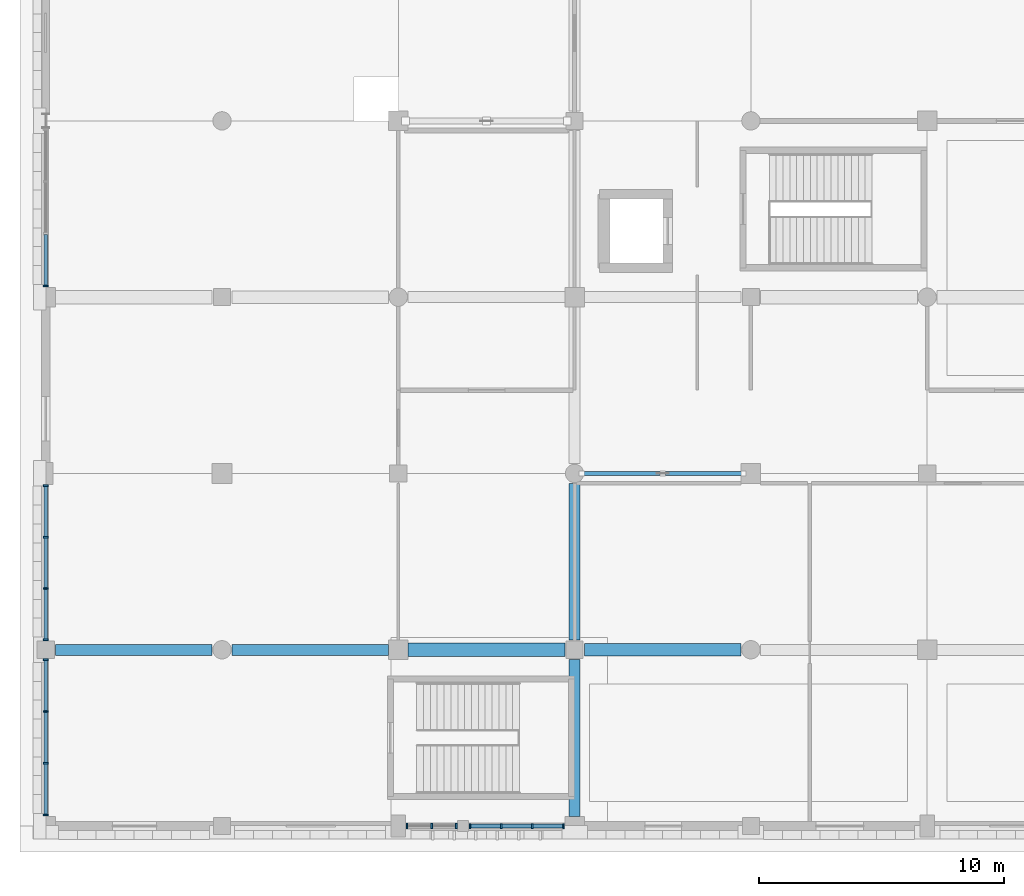
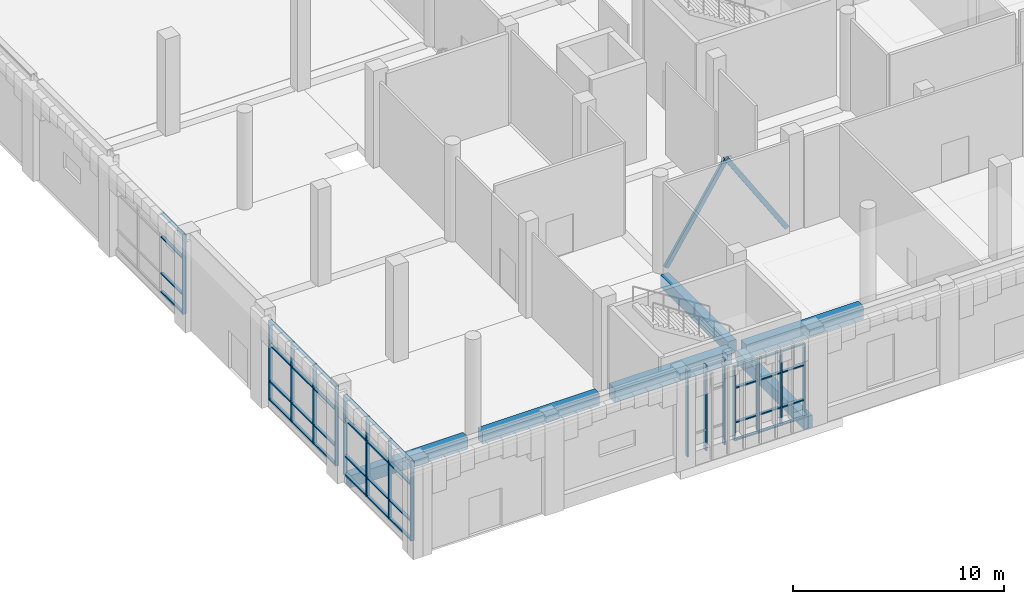
# One storey, part 8 of 85: 58 members, 6 beams, 5 elements without a shape of their own.
"""IFC4 building model written with IfcOpenShell, lengths in metres."""

import ifcopenshell
import ifcopenshell.guid

model = None  # the IFC model being written
_history = None  # IfcOwnerHistory: only IFC2X3 demands one
_inside = {}  # id of a spatial element -> (the spatial element, [elements in it])
_under = {}  # id of a project, library or spatial element -> (it, [spatial elements below it])
_declared = {}  # id of a project -> (the project, [libraries it declares])
_typed = {}  # id of a type object -> (the type object, [elements of that type])
_made_of = {}  # id of a material, layer set ... -> (it, [elements and type objects made of it])


def new_model(schema):
    """Start an empty IFC model of exactly this schema.

    Asked for "IFC4X3", IfcOpenShell would pick the latest addendum, in which some entities
    have other attributes; the version numbers below select the first issue.
    IFC2X3 requires an IfcOwnerHistory on every rooted entity: one is made here for all.
    """
    global model, _history
    if schema == "IFC4X3":
        model = ifcopenshell.file(schema_version=(4, 3, 0, 0))
    else:
        model = ifcopenshell.file(schema=schema)
    _inside.clear()
    _under.clear()
    _declared.clear()
    _typed.clear()
    _made_of.clear()
    _history = None
    if model.schema == "IFC2X3":
        org = make("IfcOrganization", Name="unknown")
        user = make(
            "IfcPersonAndOrganization",
            ThePerson=make("IfcPerson", FamilyName="unknown"),
            TheOrganization=org,
        )
        app = make(
            "IfcApplication",
            ApplicationDeveloper=org,
            Version="unknown",
            ApplicationFullName="unknown",
            ApplicationIdentifier="unknown",
        )
        _history = make(
            "IfcOwnerHistory",
            OwningUser=user,
            OwningApplication=app,
            ChangeAction="ADDED",
            CreationDate=0,
        )
    return model


def make(cls, **values):
    """One entity of the class cls with the attributes given. An attribute that is None is left unset."""
    return model.create_entity(
        cls, **{name: value for name, value in values.items() if value is not None}
    )


def rooted(cls, **values):
    """An entity with a GlobalId (a new one), such as an element, a storey or a relation."""
    return make(cls, GlobalId=ifcopenshell.guid.new(), OwnerHistory=_history, **values)


def si_unit(unit_type, name, prefix=None):
    """IfcSIUnit, for example si_unit("LENGTHUNIT", "METRE", prefix="MILLI")."""
    return make("IfcSIUnit", UnitType=unit_type, Prefix=prefix, Name=name)


def assignment(units):
    """IfcUnitAssignment: the units of a project."""
    return None if units is None else make("IfcUnitAssignment", Units=units)


def point(xyz):
    """IfcCartesianPoint."""
    return None if xyz is None else make("IfcCartesianPoint", Coordinates=xyz)


def direction(xyz):
    """IfcDirection."""
    return None if xyz is None else make("IfcDirection", DirectionRatios=xyz)


def frame(location, z_axis=None, x_axis=None):
    """IfcAxis2Placement3D, a coordinate frame: its origin and axes. An axis left out is left unset."""
    return make(
        "IfcAxis2Placement3D",
        Location=point(location),
        Axis=direction(z_axis),
        RefDirection=direction(x_axis),
    )


def frame_2d(location, x_axis=None):
    """IfcAxis2Placement2D, a coordinate frame in the plane: its origin and x axis."""
    return make(
        "IfcAxis2Placement2D", Location=point(location), RefDirection=direction(x_axis)
    )


def origin():
    """The frame at (0, 0, 0) with its axes left unset."""
    return frame((0.0, 0.0, 0.0))


def origin_2d():
    """The frame at (0, 0) in the plane with its x axis left unset."""
    return frame_2d((0.0, 0.0))


def place(relative_to, where):
    """IfcLocalPlacement: puts the frame where relative to a parent placement (None: the world)."""
    return make(
        "IfcLocalPlacement", PlacementRelTo=relative_to, RelativePlacement=where
    )


def context(
    kind, dimensions, precision=None, world=None, true_north=None, identifier=None
):
    """IfcGeometricRepresentationContext, for example the 3D "Model" context."""
    return make(
        "IfcGeometricRepresentationContext",
        ContextIdentifier=identifier,
        ContextType=kind,
        CoordinateSpaceDimension=dimensions,
        Precision=precision,
        WorldCoordinateSystem=world,
        TrueNorth=true_north,
    )


def subcontext(parent, identifier, kind, view, scale=None):
    """IfcGeometricRepresentationSubContext, for example "Body" below "Model"."""
    return make(
        "IfcGeometricRepresentationSubContext",
        ContextIdentifier=identifier,
        ContextType=kind,
        ParentContext=parent,
        TargetScale=scale,
        TargetView=view,
    )


def project(units=None, contexts=None):
    """IfcProject with its units and contexts."""
    return rooted(
        "IfcProject",
        Name="project",
        RepresentationContexts=contexts,
        UnitsInContext=assignment(units),
    )


def spatial(cls, under=None, at=None, **own):
    """A site, building, storey or space (cls), placed at a placement, below another one or the project."""
    s = rooted(cls, ObjectPlacement=at, **own)
    if under is not None:
        _under.setdefault(under.id(), (under, []))[1].append(s)
    return s


def profile(cls, at=None, kind="AREA", **sizes):
    """A parametric profile (cls). Its sizes go by their IFC names, for example OverallWidth=200.0."""
    return make(cls, ProfileType=kind, Position=at, **sizes)


def rectangle(**sizes):
    """IfcRectangleProfileDef."""
    return profile("IfcRectangleProfileDef", **sizes)


def hollow_rectangle(**sizes):
    """IfcRectangleHollowProfileDef."""
    return profile("IfcRectangleHollowProfileDef", **sizes)


def extrude(swept, where, along, depth):
    """IfcExtrudedAreaSolid: the profile swept, set in the frame where, extruded along a direction by depth."""
    return make(
        "IfcExtrudedAreaSolid",
        SweptArea=swept,
        Position=where,
        ExtrudedDirection=direction(along),
        Depth=depth,
    )


def shape(context_of_items, identifier, shape_type, items):
    """IfcShapeRepresentation: the items that make up one representation, for example the "Body"."""
    return make(
        "IfcShapeRepresentation",
        ContextOfItems=context_of_items,
        RepresentationIdentifier=identifier,
        RepresentationType=shape_type,
        Items=items,
    )


def material(Name=None, Category=None):
    """IfcMaterial."""
    return make("IfcMaterial", Name=Name, Category=Category)


def material_profile(
    of_material, cross_section, Name=None, Category=None, Priority=None
):
    """IfcMaterialProfile: a cross section and its material."""
    return make(
        "IfcMaterialProfile",
        Name=Name,
        Material=of_material,
        Profile=cross_section,
        Priority=Priority,
        Category=Category,
    )


def profile_set(profiles, Name=None, composite=None):
    """IfcMaterialProfileSet."""
    return make(
        "IfcMaterialProfileSet",
        Name=Name,
        MaterialProfiles=profiles,
        CompositeProfile=composite,
    )


def made_of(thing, what):
    """Note that an element or type object is made of a material, layer set ...; save() writes the relation."""
    if what is not None:
        _made_of.setdefault(what.id(), (what, []))[1].append(thing)
    return thing


def type_object(cls, material=None, **own):
    """A type object (cls), such as IfcWallType, which elements share."""
    return made_of(rooted(cls, **own), material)


def element(
    cls,
    number,
    at=None,
    inside=None,
    cuts=None,
    type_object=None,
    material=None,
    context=None,
    identifier="Body",
    shape_type=None,
    held_by="IfcProductDefinitionShape",
    body=None,
    shapes=None,
    **own,
):
    """One element of the class cls, such as IfcWall. Its Tag is "e" and its number.

    at: its placement. inside: the storey or other place that contains it. cuts: it is an
    opening in that element (IfcRelVoidsElement). A single representation is given by context,
    identifier, shape_type and body (its items); several are given by shapes. held_by: the class
    of the entity that holds the representations. save() writes the other relations.
    """
    e = rooted(cls, Tag="e%d" % number, ObjectPlacement=at, **own)
    if body is not None:
        shapes = [shape(context, identifier, shape_type, body)]
    if shapes is not None:
        e.Representation = make(held_by, Representations=shapes)
    if inside is not None:
        _inside.setdefault(inside.id(), (inside, []))[1].append(e)
    if cuts is not None:
        rooted(
            "IfcRelVoidsElement", RelatingBuildingElement=cuts, RelatedOpeningElement=e
        )
    if type_object is not None:
        _typed.setdefault(type_object.id(), (type_object, []))[1].append(e)
    return made_of(e, material)


def aggregate(whole, parts):
    """IfcRelAggregates: a whole, such as a stair, and the parts it consists of."""
    return rooted("IfcRelAggregates", RelatingObject=whole, RelatedObjects=parts)


def save(model, path):
    """Write the relations noted so far, then the file.

    IfcRelAggregates (storeys below a building ...), IfcRelContainedInSpatialStructure (elements
    in a storey), IfcRelDefinesByType, IfcRelAssociatesMaterial and IfcRelDeclares: one each for
    every whole, place, type object, material and project.
    """
    for whole, parts in _under.values():
        aggregate(whole, parts)
    for where, things in _inside.values():
        rooted(
            "IfcRelContainedInSpatialStructure",
            RelatedElements=things,
            RelatingStructure=where,
        )
    for kind, things in _typed.values():
        rooted("IfcRelDefinesByType", RelatedObjects=things, RelatingType=kind)
    for what, things in _made_of.values():
        rooted("IfcRelAssociatesMaterial", RelatedObjects=things, RelatingMaterial=what)
    for by, libraries in _declared.values():
        rooted("IfcRelDeclares", RelatingContext=by, RelatedDefinitions=libraries)
    model.write(path)


model = new_model("IFC4")

# Units and contexts
model_context = context("Model", 3, precision=1e-05, world=origin(), true_north=direction((0.0, 1.0)))
body_context = subcontext(model_context, "Body", "Model", "MODEL_VIEW")
ifc_project = project(units=[si_unit("LENGTHUNIT", "METRE"), si_unit("AREAUNIT", "SQUARE_METRE"), si_unit("VOLUMEUNIT", "CUBIC_METRE"), si_unit("PLANEANGLEUNIT", "RADIAN"), si_unit("MASSUNIT", "GRAM", prefix="KILO")], contexts=[model_context])

# Site, building, storey
site_placement = place(None, origin())
site = spatial("IfcSite", under=ifc_project, at=site_placement, CompositionType="ELEMENT")
building_placement = place(site_placement, origin())
building = spatial("IfcBuilding", under=site, at=building_placement, Name="Sardonyx Promenade Sports Hall", CompositionType="ELEMENT")
storey_placement = place(building_placement, origin())
storey = spatial("IfcBuildingStorey", under=building, at=storey_placement, Name="L00", CompositionType="ELEMENT", Elevation=0.0)

# Beams
ifc_material_1 = material(Name="Concrete C40/50", Category="concrete")
ifc_material_profile_1 = material_profile(ifc_material_1, rectangle(XDim=0.5, YDim=0.75, at=origin_2d()))
ifc_profile_set_1 = profile_set([ifc_material_profile_1], Name="Concrete C40/50")
beam_type_1 = type_object("IfcBeamType", Name="Bm_Girder_RC750", PredefinedType="BEAM", material=ifc_profile_set_1)
beam_1_placement = place(storey_placement, frame((22.0, 7.199951171875, -0.375), z_axis=(1.0, 0.0, 0.0), x_axis=(0.0, 1.0, 0.0)))
element("IfcBeam", 1, at=beam_1_placement, inside=storey, type_object=beam_type_1, Name="Beam BG02 L00 #57", PredefinedType="BEAM", context=body_context, shape_type="SweptSolid", body=[
    extrude(rectangle(XDim=0.5, YDim=0.75, at=origin_2d()), origin(), (0.0, 0.0, 1.0), 6.39990234375),
])
ifc_material_2 = material(Name="Concrete C40/50", Category="concrete")
ifc_material_profile_2 = material_profile(ifc_material_2, rectangle(XDim=0.550048828125, YDim=0.800048828125, at=origin_2d()))
ifc_profile_set_2 = profile_set([ifc_material_profile_2], Name="Concrete C40/50")
beam_type_2 = type_object("IfcBeamType", Name="Bm_Girder_RC800", PredefinedType="BEAM", material=ifc_profile_set_2)
beam_2_placement = place(storey_placement, frame((14.800048828125, 7.199951171875, -0.39990234375), z_axis=(1.0, 0.0, 0.0), x_axis=(0.0, 1.0, 0.0)))
element("IfcBeam", 2, at=beam_2_placement, inside=storey, type_object=beam_type_2, Name="Beam BG04 L00 #56", PredefinedType="BEAM", context=body_context, shape_type="SweptSolid", body=[
    extrude(rectangle(XDim=0.550048828125, YDim=0.800048828125, at=origin_2d()), origin(), (0.0, 0.0, 1.0), 6.39990234375),
])
ifc_material_3 = material(Name="Concrete C40/50", Category="concrete")
ifc_material_profile_3 = material_profile(ifc_material_3, rectangle(XDim=0.449951171875, YDim=0.699951171875, at=origin_2d()))
ifc_profile_set_3 = profile_set([ifc_material_profile_3], Name="Concrete C40/50")
beam_type_3 = type_object("IfcBeamType", Name="Bm_Primary_RC700", PredefinedType="BEAM", material=ifc_profile_set_3)
beam_3_placement = place(storey_placement, frame((0.39990234375, 7.199951171875, -0.35009765625), z_axis=(1.0, 0.0, 0.0), x_axis=(0.0, 1.0, 0.0)))
element("IfcBeam", 3, at=beam_3_placement, inside=storey, type_object=beam_type_3, Name="Beam BG01 L00 #54", PredefinedType="BEAM", context=body_context, shape_type="SweptSolid", body=[
    extrude(rectangle(XDim=0.449951171875, YDim=0.699951171875, at=origin_2d()), origin(), (0.0, 0.0, 1.0), 6.400146484375),
])
beam_4_placement = place(storey_placement, frame((7.60009765625, 7.199951171875, -0.35009765625), z_axis=(1.0, 0.0, 0.0), x_axis=(0.0, 1.0, 0.0)))
element("IfcBeam", 4, at=beam_4_placement, inside=storey, type_object=beam_type_3, Name="Beam BG01 L00 #55", PredefinedType="BEAM", context=body_context, shape_type="SweptSolid", body=[
    extrude(rectangle(XDim=0.449951171875, YDim=0.699951171875, at=origin_2d()), origin(), (0.0, 0.0, 1.0), 6.39990234375),
])
beam_5_placement = place(storey_placement, frame((21.60009765625, 0.39990234375, -0.35009765625), z_axis=(0.0, 1.0, 0.0), x_axis=(-1.0, 0.0, 0.0)))
element("IfcBeam", 5, at=beam_5_placement, inside=storey, type_object=beam_type_3, Name="Beam BG01 L00 #123", PredefinedType="BEAM", context=body_context, shape_type="SweptSolid", body=[
    extrude(rectangle(XDim=0.449951171875, YDim=0.699951171875, at=origin_2d()), origin(), (0.0, 0.0, 1.0), 6.400146484375),
])
beam_6_placement = place(storey_placement, frame((21.60009765625, 7.60009765625, -0.35009765625), z_axis=(0.0, 1.0, 0.0), x_axis=(-1.0, 0.0, 0.0)))
element("IfcBeam", 6, at=beam_6_placement, inside=storey, type_object=beam_type_3, Name="Beam BG01 L00 #124", PredefinedType="BEAM", context=body_context, shape_type="SweptSolid", body=[
    extrude(rectangle(XDim=0.449951171875, YDim=0.699951171875, at=origin_2d()), origin(), (0.0, 0.0, 1.0), 6.39990234375),
])

# Curtain wall, members
ifc_material_4 = material(Name="Aluminium 6063-T6", Category="aluminium")
curtain_wall_type_1 = type_object("IfcCurtainWallType", Name="CW_South_L00_640", PredefinedType="USERDEFINED", material=ifc_material_4)
curtain_wall_1_placement = place(storey_placement, origin())
curtain_wall_1 = element("IfcCurtainWall", 7, at=curtain_wall_1_placement, inside=storey, type_object=curtain_wall_type_1, Name="Curtain wall CW11 cw:L00:015", ObjectType="CURTAIN WALL", PredefinedType="USERDEFINED")
ifc_material_5 = material(Name="Aluminium 6063-T6", Category="aluminium")
ifc_material_profile_4 = material_profile(ifc_material_5, rectangle(XDim=0.070068359375, YDim=0.199951171875, at=origin_2d()))
ifc_profile_set_4 = profile_set([ifc_material_profile_4], Name="Aluminium 6063-T6")
member_type_1 = type_object("IfcMemberType", Name="CW_Mull_200", PredefinedType="MULLION", material=ifc_profile_set_4)
member_1_placement = place(storey_placement, frame((21.14501953125, 0.0, 0.35009765625), z_axis=(0.0, 0.0, 1.0), x_axis=(-1.0, 0.0, 0.0)))
member_1 = element("IfcMember", 8, at=member_1_placement, type_object=member_type_1, Name="Mullion CM03 cw:L00:015 #1", PredefinedType="MULLION", context=body_context, shape_type="SweptSolid", body=[
    extrude(rectangle(XDim=0.070068359375, YDim=0.199951171875, at=origin_2d()), origin(), (0.0, 0.0, 1.0), 4.2998046875),
])
member_2_placement = place(storey_placement, frame((19.873291015625, 0.0, 0.35009765625), z_axis=(0.0, 0.0, 1.0), x_axis=(-1.0, 0.0, 0.0)))
member_2 = element("IfcMember", 9, at=member_2_placement, type_object=member_type_1, Name="Mullion CM03 cw:L00:015 #2", PredefinedType="MULLION", context=body_context, shape_type="SweptSolid", body=[
    extrude(rectangle(XDim=0.070068359375, YDim=0.199951171875, at=origin_2d()), origin(), (0.0, 0.0, 1.0), 4.2998046875),
])
member_3_placement = place(storey_placement, frame((18.6015625, 0.0, 0.35009765625), z_axis=(0.0, 0.0, 1.0), x_axis=(-1.0, 0.0, 0.0)))
member_3 = element("IfcMember", 10, at=member_3_placement, type_object=member_type_1, Name="Mullion CM03 cw:L00:015 #3", PredefinedType="MULLION", context=body_context, shape_type="SweptSolid", body=[
    extrude(rectangle(XDim=0.070068359375, YDim=0.199951171875, at=origin_2d()), origin(), (0.0, 0.0, 1.0), 4.2998046875),
])
member_4_placement = place(storey_placement, frame((17.330078125, 0.0, 0.35009765625), z_axis=(0.0, 0.0, 1.0), x_axis=(-1.0, 0.0, 0.0)))
member_4 = element("IfcMember", 11, at=member_4_placement, type_object=member_type_1, Name="Mullion CM03 cw:L00:015 #4", PredefinedType="MULLION", context=body_context, shape_type="SweptSolid", body=[
    extrude(rectangle(XDim=0.070068359375, YDim=0.199951171875, at=origin_2d()), origin(), (0.0, 0.0, 1.0), 4.2998046875),
])

ifc_material_6 = material(Name="Aluminium 6063-T6", Category="aluminium")
curtain_wall_type_2 = type_object("IfcCurtainWallType", Name="CW_Climb_North_L00", PredefinedType="USERDEFINED", material=ifc_material_6)
curtain_wall_2_placement = place(storey_placement, origin())
curtain_wall_2 = element("IfcCurtainWall", 12, at=curtain_wall_2_placement, inside=storey, type_object=curtain_wall_type_2, Name="Curtain wall CW05 cw:L00:060", ObjectType="CURTAIN WALL", PredefinedType="USERDEFINED")
member_5_placement = place(storey_placement, frame((0.0, 0.455078125, 0.35009765625), z_axis=(0.0, 0.0, 1.0), x_axis=(0.0, 1.0, 0.0)))
member_5 = element("IfcMember", 13, at=member_5_placement, type_object=member_type_1, Name="Mullion CM03 cw:L00:060 #1", PredefinedType="MULLION", context=body_context, shape_type="SweptSolid", body=[
    extrude(rectangle(XDim=0.070068359375, YDim=0.199951171875, at=origin_2d()), origin(), (0.0, 0.0, 1.0), 4.599853515625),
])
member_6_placement = place(storey_placement, frame((0.0, 2.568359375, 0.35009765625), z_axis=(0.0, 0.0, 1.0), x_axis=(0.0, 1.0, 0.0)))
member_6 = element("IfcMember", 14, at=member_6_placement, type_object=member_type_1, Name="Mullion CM03 cw:L00:060 #2", PredefinedType="MULLION", context=body_context, shape_type="SweptSolid", body=[
    extrude(rectangle(XDim=0.070068359375, YDim=0.199951171875, at=origin_2d()), origin(), (0.0, 0.0, 1.0), 4.599853515625),
])
member_7_placement = place(storey_placement, frame((0.0, 4.681640625, 0.35009765625), z_axis=(0.0, 0.0, 1.0), x_axis=(0.0, 1.0, 0.0)))
member_7 = element("IfcMember", 15, at=member_7_placement, type_object=member_type_1, Name="Mullion CM03 cw:L00:060 #3", PredefinedType="MULLION", context=body_context, shape_type="SweptSolid", body=[
    extrude(rectangle(XDim=0.070068359375, YDim=0.199951171875, at=origin_2d()), origin(), (0.0, 0.0, 1.0), 4.599853515625),
])
member_8_placement = place(storey_placement, frame((0.0, 6.794921875, 0.35009765625), z_axis=(0.0, 0.0, 1.0), x_axis=(0.0, 1.0, 0.0)))
member_8 = element("IfcMember", 16, at=member_8_placement, type_object=member_type_1, Name="Mullion CM03 cw:L00:060 #4", PredefinedType="MULLION", context=body_context, shape_type="SweptSolid", body=[
    extrude(rectangle(XDim=0.070068359375, YDim=0.199951171875, at=origin_2d()), origin(), (0.0, 0.0, 1.0), 4.599853515625),
])

curtain_wall_3_placement = place(storey_placement, origin())
curtain_wall_3 = element("IfcCurtainWall", 17, at=curtain_wall_3_placement, inside=storey, type_object=curtain_wall_type_2, Name="Curtain wall CW05 cw:L00:061", ObjectType="CURTAIN WALL", PredefinedType="USERDEFINED")
member_9_placement = place(storey_placement, frame((0.0, 7.60498046875, 0.35009765625), z_axis=(0.0, 0.0, 1.0), x_axis=(0.0, 1.0, 0.0)))
member_9 = element("IfcMember", 18, at=member_9_placement, type_object=member_type_1, Name="Mullion CM03 cw:L00:061 #1", PredefinedType="MULLION", context=body_context, shape_type="SweptSolid", body=[
    extrude(rectangle(XDim=0.070068359375, YDim=0.199951171875, at=origin_2d()), origin(), (0.0, 0.0, 1.0), 4.599853515625),
])
member_10_placement = place(storey_placement, frame((0.0, 9.70166015625, 0.35009765625), z_axis=(0.0, 0.0, 1.0), x_axis=(0.0, 1.0, 0.0)))
member_10 = element("IfcMember", 19, at=member_10_placement, type_object=member_type_1, Name="Mullion CM03 cw:L00:061 #2", PredefinedType="MULLION", context=body_context, shape_type="SweptSolid", body=[
    extrude(rectangle(XDim=0.070068359375, YDim=0.199951171875, at=origin_2d()), origin(), (0.0, 0.0, 1.0), 4.599853515625),
])
member_11_placement = place(storey_placement, frame((0.0, 11.79833984375, 0.35009765625), z_axis=(0.0, 0.0, 1.0), x_axis=(0.0, 1.0, 0.0)))
member_11 = element("IfcMember", 20, at=member_11_placement, type_object=member_type_1, Name="Mullion CM03 cw:L00:061 #3", PredefinedType="MULLION", context=body_context, shape_type="SweptSolid", body=[
    extrude(rectangle(XDim=0.070068359375, YDim=0.199951171875, at=origin_2d()), origin(), (0.0, 0.0, 1.0), 4.599853515625),
])
member_12_placement = place(storey_placement, frame((0.0, 13.89501953125, 0.35009765625), z_axis=(0.0, 0.0, 1.0), x_axis=(0.0, 1.0, 0.0)))
member_12 = element("IfcMember", 21, at=member_12_placement, type_object=member_type_1, Name="Mullion CM03 cw:L00:061 #4", PredefinedType="MULLION", context=body_context, shape_type="SweptSolid", body=[
    extrude(rectangle(XDim=0.070068359375, YDim=0.199951171875, at=origin_2d()), origin(), (0.0, 0.0, 1.0), 4.599853515625),
])

# Curtain wall, member
curtain_wall_4_placement = place(storey_placement, origin())
curtain_wall_4 = element("IfcCurtainWall", 22, at=curtain_wall_4_placement, inside=storey, type_object=curtain_wall_type_2, Name="Curtain wall CW05 cw:L00:062", ObjectType="CURTAIN WALL", PredefinedType="USERDEFINED")
member_13_placement = place(storey_placement, frame((0.0, 22.054931640625, 0.35009765625), z_axis=(0.0, 0.0, 1.0), x_axis=(0.0, 1.0, 0.0)))
member_13 = element("IfcMember", 23, at=member_13_placement, type_object=member_type_1, Name="Mullion CM03 cw:L00:062 #1", PredefinedType="MULLION", context=body_context, shape_type="SweptSolid", body=[
    extrude(rectangle(XDim=0.070068359375, YDim=0.199951171875, at=origin_2d()), origin(), (0.0, 0.0, 1.0), 4.599853515625),
])

# Curtain wall, members
ifc_material_7 = material(Name="Aluminium 6063-T6", Category="aluminium")
curtain_wall_type_3 = type_object("IfcCurtainWallType", Name="CW_Foyer_Pilaster_L00", PredefinedType="USERDEFINED", material=ifc_material_7)
curtain_wall_5_placement = place(storey_placement, origin())
curtain_wall_5 = element("IfcCurtainWall", 24, at=curtain_wall_5_placement, inside=storey, type_object=curtain_wall_type_3, Name="Curtain wall CW20 cw:L00:016", ObjectType="CURTAIN WALL", PredefinedType="USERDEFINED")
ifc_material_8 = material(Name="Aluminium 6063-T6", Category="aluminium")
ifc_material_profile_5 = material_profile(ifc_material_8, rectangle(XDim=0.074951171875, YDim=0.22509765625, at=origin_2d()))
ifc_profile_set_5 = profile_set([ifc_material_profile_5], Name="Aluminium 6063-T6")
member_type_2 = type_object("IfcMemberType", Name="CW_Mull_225", PredefinedType="MULLION", material=ifc_profile_set_5)
member_14_placement = place(storey_placement, frame((16.767578125, 0.0, 0.35009765625), z_axis=(0.0, 0.0, 1.0), x_axis=(-1.0, 0.0, 0.0)))
member_14 = element("IfcMember", 25, at=member_14_placement, type_object=member_type_2, Name="Mullion CM04 cw:L00:016 #1", PredefinedType="MULLION", context=body_context, shape_type="SweptSolid", body=[
    extrude(rectangle(XDim=0.074951171875, YDim=0.22509765625, at=origin_2d()), origin(), (0.0, 0.0, 1.0), 4.949951171875),
])
member_15_placement = place(storey_placement, frame((15.762451171875, 0.0, 0.35009765625), z_axis=(0.0, 0.0, 1.0), x_axis=(-1.0, 0.0, 0.0)))
member_15 = element("IfcMember", 26, at=member_15_placement, type_object=member_type_2, Name="Mullion CM04 cw:L00:016 #2", PredefinedType="MULLION", context=body_context, shape_type="SweptSolid", body=[
    extrude(rectangle(XDim=0.074951171875, YDim=0.22509765625, at=origin_2d()), origin(), (0.0, 0.0, 1.0), 4.949951171875),
])
member_16_placement = place(storey_placement, frame((14.757568359375, 0.0, 0.35009765625), z_axis=(0.0, 0.0, 1.0), x_axis=(-1.0, 0.0, 0.0)))
member_16 = element("IfcMember", 27, at=member_16_placement, type_object=member_type_2, Name="Mullion CM04 cw:L00:016 #3", PredefinedType="MULLION", context=body_context, shape_type="SweptSolid", body=[
    extrude(rectangle(XDim=0.074951171875, YDim=0.22509765625, at=origin_2d()), origin(), (0.0, 0.0, 1.0), 4.949951171875),
])
aggregate(curtain_wall_5, [member_14, member_15, member_16])

# Member
ifc_material_9 = material(Name="Aluminium 6063-T6", Category="aluminium")
ifc_material_profile_6 = material_profile(ifc_material_9, rectangle(XDim=0.070068359375, YDim=0.159912109375, at=origin_2d()))
ifc_profile_set_6 = profile_set([ifc_material_profile_6], Name="Aluminium 6063-T6")
member_type_3 = type_object("IfcMemberType", Name="CW_Tran_160", PredefinedType="USERDEFINED", material=ifc_profile_set_6)
member_17_placement = place(storey_placement, frame((21.110107421875, 0.0, 0.385009765625), z_axis=(-1.0, 0.0, 0.0), x_axis=(0.0, 0.0, 1.0)))
member_17 = element("IfcMember", 28, at=member_17_placement, type_object=member_type_3, Name="Transom CT03 cw:L00:015 #1", ObjectType="TRANSOM", PredefinedType="USERDEFINED", context=body_context, shape_type="SweptSolid", body=[
    extrude(rectangle(XDim=0.070068359375, YDim=0.159912109375, at=origin_2d()), origin(), (0.0, 0.0, 1.0), 1.20166015625),
])

member_18_placement = place(storey_placement, frame((21.110107421875, 0.0, 1.39990234375), z_axis=(-1.0, 0.0, 0.0), x_axis=(0.0, 0.0, 1.0)))
member_18 = element("IfcMember", 29, at=member_18_placement, type_object=member_type_3, Name="Transom CT03 cw:L00:015 #2", ObjectType="TRANSOM", PredefinedType="USERDEFINED", context=body_context, shape_type="SweptSolid", body=[
    extrude(rectangle(XDim=0.070068359375, YDim=0.159912109375, at=origin_2d()), origin(), (0.0, 0.0, 1.0), 1.20166015625),
])

member_19_placement = place(storey_placement, frame((21.110107421875, 0.0, 3.39990234375), z_axis=(-1.0, 0.0, 0.0), x_axis=(0.0, 0.0, 1.0)))
member_19 = element("IfcMember", 30, at=member_19_placement, type_object=member_type_3, Name="Transom CT03 cw:L00:015 #3", ObjectType="TRANSOM", PredefinedType="USERDEFINED", context=body_context, shape_type="SweptSolid", body=[
    extrude(rectangle(XDim=0.070068359375, YDim=0.159912109375, at=origin_2d()), origin(), (0.0, 0.0, 1.0), 1.20166015625),
])

member_20_placement = place(storey_placement, frame((21.110107421875, 0.0, 4.614990234375), z_axis=(-1.0, 0.0, 0.0), x_axis=(0.0, 0.0, 1.0)))
member_20 = element("IfcMember", 31, at=member_20_placement, type_object=member_type_3, Name="Transom CT03 cw:L00:015 #4", ObjectType="TRANSOM", PredefinedType="USERDEFINED", context=body_context, shape_type="SweptSolid", body=[
    extrude(rectangle(XDim=0.070068359375, YDim=0.159912109375, at=origin_2d()), origin(), (0.0, 0.0, 1.0), 1.20166015625),
])

member_21_placement = place(storey_placement, frame((19.83837890625, 0.0, 0.385009765625), z_axis=(-1.0, 0.0, 0.0), x_axis=(0.0, 0.0, 1.0)))
member_21 = element("IfcMember", 32, at=member_21_placement, type_object=member_type_3, Name="Transom CT03 cw:L00:015 #5", ObjectType="TRANSOM", PredefinedType="USERDEFINED", context=body_context, shape_type="SweptSolid", body=[
    extrude(rectangle(XDim=0.070068359375, YDim=0.159912109375, at=origin_2d()), origin(), (0.0, 0.0, 1.0), 1.20166015625),
])

member_22_placement = place(storey_placement, frame((19.83837890625, 0.0, 1.39990234375), z_axis=(-1.0, 0.0, 0.0), x_axis=(0.0, 0.0, 1.0)))
member_22 = element("IfcMember", 33, at=member_22_placement, type_object=member_type_3, Name="Transom CT03 cw:L00:015 #6", ObjectType="TRANSOM", PredefinedType="USERDEFINED", context=body_context, shape_type="SweptSolid", body=[
    extrude(rectangle(XDim=0.070068359375, YDim=0.159912109375, at=origin_2d()), origin(), (0.0, 0.0, 1.0), 1.20166015625),
])

member_23_placement = place(storey_placement, frame((19.83837890625, 0.0, 3.39990234375), z_axis=(-1.0, 0.0, 0.0), x_axis=(0.0, 0.0, 1.0)))
member_23 = element("IfcMember", 34, at=member_23_placement, type_object=member_type_3, Name="Transom CT03 cw:L00:015 #7", ObjectType="TRANSOM", PredefinedType="USERDEFINED", context=body_context, shape_type="SweptSolid", body=[
    extrude(rectangle(XDim=0.070068359375, YDim=0.159912109375, at=origin_2d()), origin(), (0.0, 0.0, 1.0), 1.20166015625),
])

member_24_placement = place(storey_placement, frame((19.83837890625, 0.0, 4.614990234375), z_axis=(-1.0, 0.0, 0.0), x_axis=(0.0, 0.0, 1.0)))
member_24 = element("IfcMember", 35, at=member_24_placement, type_object=member_type_3, Name="Transom CT03 cw:L00:015 #8", ObjectType="TRANSOM", PredefinedType="USERDEFINED", context=body_context, shape_type="SweptSolid", body=[
    extrude(rectangle(XDim=0.070068359375, YDim=0.159912109375, at=origin_2d()), origin(), (0.0, 0.0, 1.0), 1.20166015625),
])

member_25_placement = place(storey_placement, frame((18.566650390625, 0.0, 0.385009765625), z_axis=(-1.0, 0.0, 0.0), x_axis=(0.0, 0.0, 1.0)))
member_25 = element("IfcMember", 36, at=member_25_placement, type_object=member_type_3, Name="Transom CT03 cw:L00:015 #9", ObjectType="TRANSOM", PredefinedType="USERDEFINED", context=body_context, shape_type="SweptSolid", body=[
    extrude(rectangle(XDim=0.070068359375, YDim=0.159912109375, at=origin_2d()), origin(), (0.0, 0.0, 1.0), 1.20166015625),
])

member_26_placement = place(storey_placement, frame((18.566650390625, 0.0, 1.39990234375), z_axis=(-1.0, 0.0, 0.0), x_axis=(0.0, 0.0, 1.0)))
member_26 = element("IfcMember", 37, at=member_26_placement, type_object=member_type_3, Name="Transom CT03 cw:L00:015 #10", ObjectType="TRANSOM", PredefinedType="USERDEFINED", context=body_context, shape_type="SweptSolid", body=[
    extrude(rectangle(XDim=0.070068359375, YDim=0.159912109375, at=origin_2d()), origin(), (0.0, 0.0, 1.0), 1.20166015625),
])

member_27_placement = place(storey_placement, frame((18.566650390625, 0.0, 3.39990234375), z_axis=(-1.0, 0.0, 0.0), x_axis=(0.0, 0.0, 1.0)))
member_27 = element("IfcMember", 38, at=member_27_placement, type_object=member_type_3, Name="Transom CT03 cw:L00:015 #11", ObjectType="TRANSOM", PredefinedType="USERDEFINED", context=body_context, shape_type="SweptSolid", body=[
    extrude(rectangle(XDim=0.070068359375, YDim=0.159912109375, at=origin_2d()), origin(), (0.0, 0.0, 1.0), 1.20166015625),
])

member_28_placement = place(storey_placement, frame((18.566650390625, 0.0, 4.614990234375), z_axis=(-1.0, 0.0, 0.0), x_axis=(0.0, 0.0, 1.0)))
member_28 = element("IfcMember", 39, at=member_28_placement, type_object=member_type_3, Name="Transom CT03 cw:L00:015 #12", ObjectType="TRANSOM", PredefinedType="USERDEFINED", context=body_context, shape_type="SweptSolid", body=[
    extrude(rectangle(XDim=0.070068359375, YDim=0.159912109375, at=origin_2d()), origin(), (0.0, 0.0, 1.0), 1.20166015625),
])

aggregate(curtain_wall_1, [member_1, member_2, member_3, member_4, member_17, member_18, member_19, member_20, member_21, member_22, member_23, member_24, member_25, member_26, member_27, member_28])

member_29_placement = place(storey_placement, frame((0.0, 0.489990234375, 0.385009765625), z_axis=(0.0, 1.0, 0.0), x_axis=(0.0, 0.0, 1.0)))
member_29 = element("IfcMember", 40, at=member_29_placement, type_object=member_type_3, Name="Transom CT03 cw:L00:060 #1", ObjectType="TRANSOM", PredefinedType="USERDEFINED", context=body_context, shape_type="SweptSolid", body=[
    extrude(rectangle(XDim=0.070068359375, YDim=0.159912109375, at=origin_2d()), origin(), (0.0, 0.0, 1.0), 2.04345703125),
])

member_30_placement = place(storey_placement, frame((0.0, 0.489990234375, 1.449951171875), z_axis=(0.0, 1.0, 0.0), x_axis=(0.0, 0.0, 1.0)))
member_30 = element("IfcMember", 41, at=member_30_placement, type_object=member_type_3, Name="Transom CT03 cw:L00:060 #2", ObjectType="TRANSOM", PredefinedType="USERDEFINED", context=body_context, shape_type="SweptSolid", body=[
    extrude(rectangle(XDim=0.070068359375, YDim=0.159912109375, at=origin_2d()), origin(), (0.0, 0.0, 1.0), 2.04345703125),
])

member_31_placement = place(storey_placement, frame((0.0, 0.489990234375, 3.550048828125), z_axis=(0.0, 1.0, 0.0), x_axis=(0.0, 0.0, 1.0)))
member_31 = element("IfcMember", 42, at=member_31_placement, type_object=member_type_3, Name="Transom CT03 cw:L00:060 #3", ObjectType="TRANSOM", PredefinedType="USERDEFINED", context=body_context, shape_type="SweptSolid", body=[
    extrude(rectangle(XDim=0.070068359375, YDim=0.159912109375, at=origin_2d()), origin(), (0.0, 0.0, 1.0), 2.04345703125),
])

member_32_placement = place(storey_placement, frame((0.0, 0.489990234375, 4.9150390625), z_axis=(0.0, 1.0, 0.0), x_axis=(0.0, 0.0, 1.0)))
member_32 = element("IfcMember", 43, at=member_32_placement, type_object=member_type_3, Name="Transom CT03 cw:L00:060 #4", ObjectType="TRANSOM", PredefinedType="USERDEFINED", context=body_context, shape_type="SweptSolid", body=[
    extrude(rectangle(XDim=0.070068359375, YDim=0.159912109375, at=origin_2d()), origin(), (0.0, 0.0, 1.0), 2.04345703125),
])

member_33_placement = place(storey_placement, frame((0.0, 2.603271484375, 0.385009765625), z_axis=(0.0, 1.0, 0.0), x_axis=(0.0, 0.0, 1.0)))
member_33 = element("IfcMember", 44, at=member_33_placement, type_object=member_type_3, Name="Transom CT03 cw:L00:060 #5", ObjectType="TRANSOM", PredefinedType="USERDEFINED", context=body_context, shape_type="SweptSolid", body=[
    extrude(rectangle(XDim=0.070068359375, YDim=0.159912109375, at=origin_2d()), origin(), (0.0, 0.0, 1.0), 2.04345703125),
])

member_34_placement = place(storey_placement, frame((0.0, 2.603271484375, 1.449951171875), z_axis=(0.0, 1.0, 0.0), x_axis=(0.0, 0.0, 1.0)))
member_34 = element("IfcMember", 45, at=member_34_placement, type_object=member_type_3, Name="Transom CT03 cw:L00:060 #6", ObjectType="TRANSOM", PredefinedType="USERDEFINED", context=body_context, shape_type="SweptSolid", body=[
    extrude(rectangle(XDim=0.070068359375, YDim=0.159912109375, at=origin_2d()), origin(), (0.0, 0.0, 1.0), 2.04345703125),
])

member_35_placement = place(storey_placement, frame((0.0, 2.603271484375, 3.550048828125), z_axis=(0.0, 1.0, 0.0), x_axis=(0.0, 0.0, 1.0)))
member_35 = element("IfcMember", 46, at=member_35_placement, type_object=member_type_3, Name="Transom CT03 cw:L00:060 #7", ObjectType="TRANSOM", PredefinedType="USERDEFINED", context=body_context, shape_type="SweptSolid", body=[
    extrude(rectangle(XDim=0.070068359375, YDim=0.159912109375, at=origin_2d()), origin(), (0.0, 0.0, 1.0), 2.04345703125),
])

member_36_placement = place(storey_placement, frame((0.0, 2.603271484375, 4.9150390625), z_axis=(0.0, 1.0, 0.0), x_axis=(0.0, 0.0, 1.0)))
member_36 = element("IfcMember", 47, at=member_36_placement, type_object=member_type_3, Name="Transom CT03 cw:L00:060 #8", ObjectType="TRANSOM", PredefinedType="USERDEFINED", context=body_context, shape_type="SweptSolid", body=[
    extrude(rectangle(XDim=0.070068359375, YDim=0.159912109375, at=origin_2d()), origin(), (0.0, 0.0, 1.0), 2.04345703125),
])

member_37_placement = place(storey_placement, frame((0.0, 4.716552734375, 0.385009765625), z_axis=(0.0, 1.0, 0.0), x_axis=(0.0, 0.0, 1.0)))
member_37 = element("IfcMember", 48, at=member_37_placement, type_object=member_type_3, Name="Transom CT03 cw:L00:060 #9", ObjectType="TRANSOM", PredefinedType="USERDEFINED", context=body_context, shape_type="SweptSolid", body=[
    extrude(rectangle(XDim=0.070068359375, YDim=0.159912109375, at=origin_2d()), origin(), (0.0, 0.0, 1.0), 2.04345703125),
])

member_38_placement = place(storey_placement, frame((0.0, 4.716552734375, 1.449951171875), z_axis=(0.0, 1.0, 0.0), x_axis=(0.0, 0.0, 1.0)))
member_38 = element("IfcMember", 49, at=member_38_placement, type_object=member_type_3, Name="Transom CT03 cw:L00:060 #10", ObjectType="TRANSOM", PredefinedType="USERDEFINED", context=body_context, shape_type="SweptSolid", body=[
    extrude(rectangle(XDim=0.070068359375, YDim=0.159912109375, at=origin_2d()), origin(), (0.0, 0.0, 1.0), 2.04345703125),
])

member_39_placement = place(storey_placement, frame((0.0, 4.716552734375, 3.550048828125), z_axis=(0.0, 1.0, 0.0), x_axis=(0.0, 0.0, 1.0)))
member_39 = element("IfcMember", 50, at=member_39_placement, type_object=member_type_3, Name="Transom CT03 cw:L00:060 #11", ObjectType="TRANSOM", PredefinedType="USERDEFINED", context=body_context, shape_type="SweptSolid", body=[
    extrude(rectangle(XDim=0.070068359375, YDim=0.159912109375, at=origin_2d()), origin(), (0.0, 0.0, 1.0), 2.04345703125),
])

member_40_placement = place(storey_placement, frame((0.0, 4.716552734375, 4.9150390625), z_axis=(0.0, 1.0, 0.0), x_axis=(0.0, 0.0, 1.0)))
member_40 = element("IfcMember", 51, at=member_40_placement, type_object=member_type_3, Name="Transom CT03 cw:L00:060 #12", ObjectType="TRANSOM", PredefinedType="USERDEFINED", context=body_context, shape_type="SweptSolid", body=[
    extrude(rectangle(XDim=0.070068359375, YDim=0.159912109375, at=origin_2d()), origin(), (0.0, 0.0, 1.0), 2.04345703125),
])

aggregate(curtain_wall_2, [member_5, member_6, member_7, member_8, member_29, member_30, member_31, member_32, member_33, member_34, member_35, member_36, member_37, member_38, member_39, member_40])

member_41_placement = place(storey_placement, frame((0.0, 7.639892578125, 0.385009765625), z_axis=(0.0, 1.0, 0.0), x_axis=(0.0, 0.0, 1.0)))
member_41 = element("IfcMember", 52, at=member_41_placement, type_object=member_type_3, Name="Transom CT03 cw:L00:061 #1", ObjectType="TRANSOM", PredefinedType="USERDEFINED", context=body_context, shape_type="SweptSolid", body=[
    extrude(rectangle(XDim=0.070068359375, YDim=0.159912109375, at=origin_2d()), origin(), (0.0, 0.0, 1.0), 2.02685546875),
])

member_42_placement = place(storey_placement, frame((0.0, 7.639892578125, 1.449951171875), z_axis=(0.0, 1.0, 0.0), x_axis=(0.0, 0.0, 1.0)))
member_42 = element("IfcMember", 53, at=member_42_placement, type_object=member_type_3, Name="Transom CT03 cw:L00:061 #2", ObjectType="TRANSOM", PredefinedType="USERDEFINED", context=body_context, shape_type="SweptSolid", body=[
    extrude(rectangle(XDim=0.070068359375, YDim=0.159912109375, at=origin_2d()), origin(), (0.0, 0.0, 1.0), 2.02685546875),
])

member_43_placement = place(storey_placement, frame((0.0, 7.639892578125, 3.550048828125), z_axis=(0.0, 1.0, 0.0), x_axis=(0.0, 0.0, 1.0)))
member_43 = element("IfcMember", 54, at=member_43_placement, type_object=member_type_3, Name="Transom CT03 cw:L00:061 #3", ObjectType="TRANSOM", PredefinedType="USERDEFINED", context=body_context, shape_type="SweptSolid", body=[
    extrude(rectangle(XDim=0.070068359375, YDim=0.159912109375, at=origin_2d()), origin(), (0.0, 0.0, 1.0), 2.02685546875),
])

member_44_placement = place(storey_placement, frame((0.0, 7.639892578125, 4.9150390625), z_axis=(0.0, 1.0, 0.0), x_axis=(0.0, 0.0, 1.0)))
member_44 = element("IfcMember", 55, at=member_44_placement, type_object=member_type_3, Name="Transom CT03 cw:L00:061 #4", ObjectType="TRANSOM", PredefinedType="USERDEFINED", context=body_context, shape_type="SweptSolid", body=[
    extrude(rectangle(XDim=0.070068359375, YDim=0.159912109375, at=origin_2d()), origin(), (0.0, 0.0, 1.0), 2.02685546875),
])

member_45_placement = place(storey_placement, frame((0.0, 9.736572265625, 0.385009765625), z_axis=(0.0, 1.0, 0.0), x_axis=(0.0, 0.0, 1.0)))
member_45 = element("IfcMember", 56, at=member_45_placement, type_object=member_type_3, Name="Transom CT03 cw:L00:061 #5", ObjectType="TRANSOM", PredefinedType="USERDEFINED", context=body_context, shape_type="SweptSolid", body=[
    extrude(rectangle(XDim=0.070068359375, YDim=0.159912109375, at=origin_2d()), origin(), (0.0, 0.0, 1.0), 2.02685546875),
])

member_46_placement = place(storey_placement, frame((0.0, 9.736572265625, 1.449951171875), z_axis=(0.0, 1.0, 0.0), x_axis=(0.0, 0.0, 1.0)))
member_46 = element("IfcMember", 57, at=member_46_placement, type_object=member_type_3, Name="Transom CT03 cw:L00:061 #6", ObjectType="TRANSOM", PredefinedType="USERDEFINED", context=body_context, shape_type="SweptSolid", body=[
    extrude(rectangle(XDim=0.070068359375, YDim=0.159912109375, at=origin_2d()), origin(), (0.0, 0.0, 1.0), 2.02685546875),
])

member_47_placement = place(storey_placement, frame((0.0, 9.736572265625, 3.550048828125), z_axis=(0.0, 1.0, 0.0), x_axis=(0.0, 0.0, 1.0)))
member_47 = element("IfcMember", 58, at=member_47_placement, type_object=member_type_3, Name="Transom CT03 cw:L00:061 #7", ObjectType="TRANSOM", PredefinedType="USERDEFINED", context=body_context, shape_type="SweptSolid", body=[
    extrude(rectangle(XDim=0.070068359375, YDim=0.159912109375, at=origin_2d()), origin(), (0.0, 0.0, 1.0), 2.02685546875),
])

member_48_placement = place(storey_placement, frame((0.0, 9.736572265625, 4.9150390625), z_axis=(0.0, 1.0, 0.0), x_axis=(0.0, 0.0, 1.0)))
member_48 = element("IfcMember", 59, at=member_48_placement, type_object=member_type_3, Name="Transom CT03 cw:L00:061 #8", ObjectType="TRANSOM", PredefinedType="USERDEFINED", context=body_context, shape_type="SweptSolid", body=[
    extrude(rectangle(XDim=0.070068359375, YDim=0.159912109375, at=origin_2d()), origin(), (0.0, 0.0, 1.0), 2.02685546875),
])

member_49_placement = place(storey_placement, frame((0.0, 11.833251953125, 0.385009765625), z_axis=(0.0, 1.0, 0.0), x_axis=(0.0, 0.0, 1.0)))
member_49 = element("IfcMember", 60, at=member_49_placement, type_object=member_type_3, Name="Transom CT03 cw:L00:061 #9", ObjectType="TRANSOM", PredefinedType="USERDEFINED", context=body_context, shape_type="SweptSolid", body=[
    extrude(rectangle(XDim=0.070068359375, YDim=0.159912109375, at=origin_2d()), origin(), (0.0, 0.0, 1.0), 2.02685546875),
])

member_50_placement = place(storey_placement, frame((0.0, 11.833251953125, 1.449951171875), z_axis=(0.0, 1.0, 0.0), x_axis=(0.0, 0.0, 1.0)))
member_50 = element("IfcMember", 61, at=member_50_placement, type_object=member_type_3, Name="Transom CT03 cw:L00:061 #10", ObjectType="TRANSOM", PredefinedType="USERDEFINED", context=body_context, shape_type="SweptSolid", body=[
    extrude(rectangle(XDim=0.070068359375, YDim=0.159912109375, at=origin_2d()), origin(), (0.0, 0.0, 1.0), 2.02685546875),
])

member_51_placement = place(storey_placement, frame((0.0, 11.833251953125, 3.550048828125), z_axis=(0.0, 1.0, 0.0), x_axis=(0.0, 0.0, 1.0)))
member_51 = element("IfcMember", 62, at=member_51_placement, type_object=member_type_3, Name="Transom CT03 cw:L00:061 #11", ObjectType="TRANSOM", PredefinedType="USERDEFINED", context=body_context, shape_type="SweptSolid", body=[
    extrude(rectangle(XDim=0.070068359375, YDim=0.159912109375, at=origin_2d()), origin(), (0.0, 0.0, 1.0), 2.02685546875),
])

member_52_placement = place(storey_placement, frame((0.0, 11.833251953125, 4.9150390625), z_axis=(0.0, 1.0, 0.0), x_axis=(0.0, 0.0, 1.0)))
member_52 = element("IfcMember", 63, at=member_52_placement, type_object=member_type_3, Name="Transom CT03 cw:L00:061 #12", ObjectType="TRANSOM", PredefinedType="USERDEFINED", context=body_context, shape_type="SweptSolid", body=[
    extrude(rectangle(XDim=0.070068359375, YDim=0.159912109375, at=origin_2d()), origin(), (0.0, 0.0, 1.0), 2.02685546875),
])

aggregate(curtain_wall_3, [member_9, member_10, member_11, member_12, member_41, member_42, member_43, member_44, member_45, member_46, member_47, member_48, member_49, member_50, member_51, member_52])

member_53_placement = place(storey_placement, frame((0.0, 22.090087890625, 0.385009765625), z_axis=(0.0, 1.0, 0.0), x_axis=(0.0, 0.0, 1.0)))
member_53 = element("IfcMember", 64, at=member_53_placement, type_object=member_type_3, Name="Transom CT03 cw:L00:062 #1", ObjectType="TRANSOM", PredefinedType="USERDEFINED", context=body_context, shape_type="SweptSolid", body=[
    extrude(rectangle(XDim=0.070068359375, YDim=0.159912109375, at=origin_2d()), origin(), (0.0, 0.0, 1.0), 2.0615234375),
])

member_54_placement = place(storey_placement, frame((0.0, 22.090087890625, 1.449951171875), z_axis=(0.0, 1.0, 0.0), x_axis=(0.0, 0.0, 1.0)))
member_54 = element("IfcMember", 65, at=member_54_placement, type_object=member_type_3, Name="Transom CT03 cw:L00:062 #2", ObjectType="TRANSOM", PredefinedType="USERDEFINED", context=body_context, shape_type="SweptSolid", body=[
    extrude(rectangle(XDim=0.070068359375, YDim=0.159912109375, at=origin_2d()), origin(), (0.0, 0.0, 1.0), 2.0615234375),
])

member_55_placement = place(storey_placement, frame((0.0, 22.090087890625, 3.550048828125), z_axis=(0.0, 1.0, 0.0), x_axis=(0.0, 0.0, 1.0)))
member_55 = element("IfcMember", 66, at=member_55_placement, type_object=member_type_3, Name="Transom CT03 cw:L00:062 #3", ObjectType="TRANSOM", PredefinedType="USERDEFINED", context=body_context, shape_type="SweptSolid", body=[
    extrude(rectangle(XDim=0.070068359375, YDim=0.159912109375, at=origin_2d()), origin(), (0.0, 0.0, 1.0), 2.0615234375),
])

member_56_placement = place(storey_placement, frame((0.0, 22.090087890625, 4.9150390625), z_axis=(0.0, 1.0, 0.0), x_axis=(0.0, 0.0, 1.0)))
member_56 = element("IfcMember", 67, at=member_56_placement, type_object=member_type_3, Name="Transom CT03 cw:L00:062 #4", ObjectType="TRANSOM", PredefinedType="USERDEFINED", context=body_context, shape_type="SweptSolid", body=[
    extrude(rectangle(XDim=0.070068359375, YDim=0.159912109375, at=origin_2d()), origin(), (0.0, 0.0, 1.0), 2.0615234375),
])

aggregate(curtain_wall_4, [member_13, member_53, member_54, member_55, member_56])

# Members
ifc_material_10 = material(Name="Steel S355JR", Category="steel")
ifc_material_profile_7 = material_profile(ifc_material_10, hollow_rectangle(XDim=0.14990234375, YDim=0.25, WallThickness=0.010009765625, at=origin_2d()))
ifc_profile_set_7 = profile_set([ifc_material_profile_7], Name="Steel S355JR")
member_type_4 = type_object("IfcMemberType", Name="Mbr_Brace_RHS250_Int", PredefinedType="BRACE", material=ifc_profile_set_7)
for number, where, z_axis, x_axis, name in (
    (68, (21.89990234375, 14.39990234375, 0.02001953125), (0.541020546305, 0.0, 0.841009374785), (0.0, 1.0, 0.0), "Chevron brace BR03 BF7 L00 leg 1"),
    (69, (28.5, 14.39990234375, 0.02001953125), (-0.541020546305, 0.0, 0.841009374785), (0.0, -1.0, 0.0), "Chevron brace BR03 BF7 L00 leg 2"),
):
    element("IfcMember", number, at=place(storey_placement, frame(where, z_axis=z_axis, x_axis=x_axis)), inside=storey, type_object=member_type_4, Name=name, PredefinedType="BRACE", context=body_context, shape_type="SweptSolid", body=[
        extrude(hollow_rectangle(XDim=0.14990234375, YDim=0.25, WallThickness=0.010009765625, at=origin_2d()), origin(), (0.0, 0.0, 1.0), 6.099609375),
    ])

save(model, "model.ifc")
